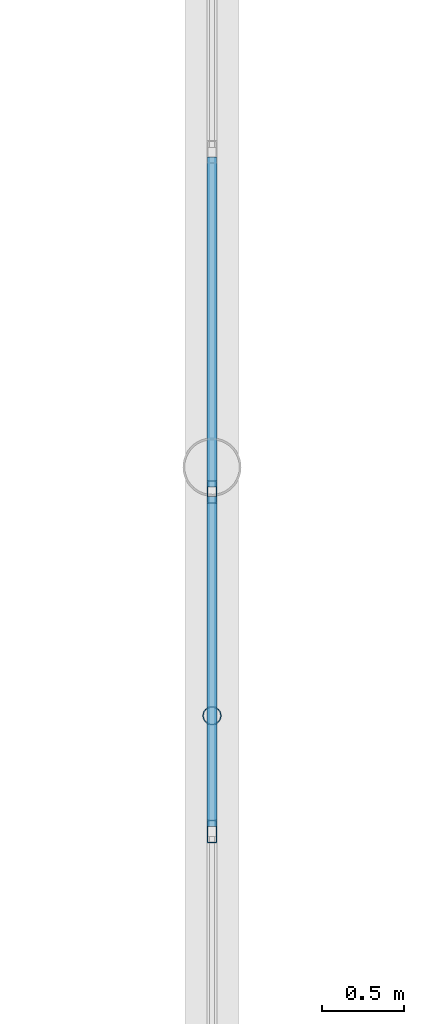
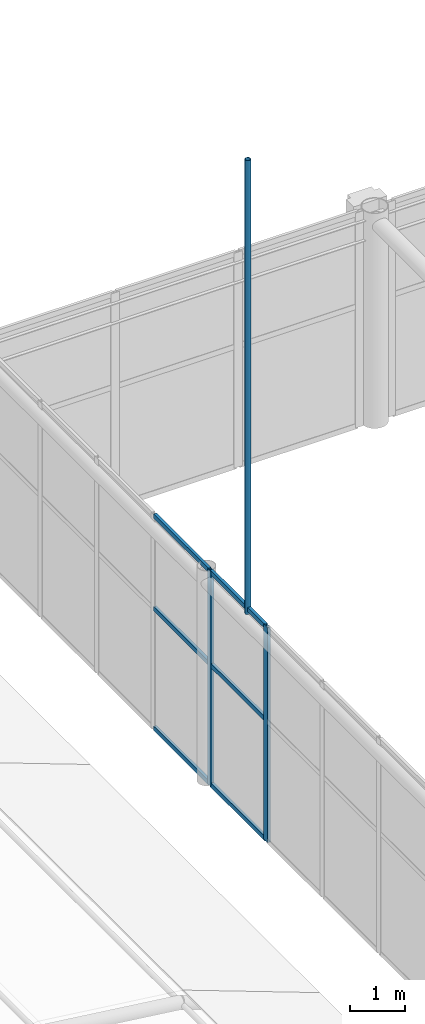
# One storey, part 72 of 167: 9 members, 1 element without a shape of its own.
"""IFC4 building model written with IfcOpenShell, lengths in metres."""

from ifc_helpers import new_model, si_unit, direction, frame, origin, origin_2d, place, context, subcontext, project, spatial, hollow_rectangle, hollow_circle, extrude, material, material_profile, profile_set, type_object, element, aggregate, save


model = new_model("IFC4")

# Units and contexts
model_context = context("Model", 3, precision=1e-05, world=origin(), true_north=direction((0.0, 1.0)))
body_context = subcontext(model_context, "Body", "Model", "MODEL_VIEW")
ifc_project = project(units=[si_unit("LENGTHUNIT", "METRE"), si_unit("AREAUNIT", "SQUARE_METRE"), si_unit("VOLUMEUNIT", "CUBIC_METRE"), si_unit("PLANEANGLEUNIT", "RADIAN"), si_unit("MASSUNIT", "GRAM", prefix="KILO")], contexts=[model_context])

# Site, building, storey
site_placement = place(None, origin())
site = spatial("IfcSite", under=ifc_project, at=site_placement, CompositionType="ELEMENT")
building_placement = place(site_placement, origin())
building = spatial("IfcBuilding", under=site, at=building_placement, Name="Catenary Quay Ferry Terminal", CompositionType="ELEMENT")
storey_placement = place(building_placement, frame((0.0, 0.0, 6.0)))
storey = spatial("IfcBuildingStorey", under=building, at=storey_placement, Name="L01", CompositionType="ELEMENT", Elevation=6.0)

# Member
ifc_material_1 = material(Name="Steel S355", Category="steel")
ifc_material_profile_1 = material_profile(ifc_material_1, hollow_circle(Radius=0.05712890625, WallThickness=0.00634765625, at=origin_2d()), Name="CHS 114.3x6.3")
ifc_profile_set_1 = profile_set([ifc_material_profile_1], Name="Steel S355")
member_type_1 = type_object("IfcMemberType", Name="HG1 CHS 114.3x6.3", PredefinedType="POST", material=ifc_profile_set_1)
member_1_placement = place(storey_placement, frame((25.199951171875, 132.889892578125, 4.654052734375), z_axis=(0.0, 0.0, 1.0), x_axis=(1.0, 0.0, 0.0)))
element("IfcMember", 1, at=member_1_placement, inside=storey, type_object=member_type_1, Name="Hanger VD-01-08", PredefinedType="POST", context=body_context, shape_type="SweptSolid", body=[
    extrude(hollow_circle(Radius=0.05712890625, WallThickness=0.00634765625, at=origin_2d()), origin(), (0.0, 0.0, 1.0), 10.137939453125),
])

# Curtain wall, members
ifc_material_2 = material(Name="Aluminium and glass", Category="aluminium")
curtain_wall_type = type_object("IfcCurtainWallType", Name="CWG", PredefinedType="NOTDEFINED", material=ifc_material_2)
curtain_wall_placement = place(storey_placement, origin())
curtain_wall = element("IfcCurtainWall", 2, at=curtain_wall_placement, inside=storey, type_object=curtain_wall_type, Name="Gable departure hall curtain wall CW16", PredefinedType="NOTDEFINED")
ifc_material_3 = material(Name="Aluminium", Category="aluminium")
ifc_material_profile_2 = material_profile(ifc_material_3, hollow_rectangle(XDim=0.06005859375, YDim=0.139892578125, WallThickness=0.006103515625, at=origin_2d()), Name="MU2")
ifc_profile_set_2 = profile_set([ifc_material_profile_2], Name="Aluminium")
member_type_2 = type_object("IfcMemberType", Name="MU2", PredefinedType="MULLION", material=ifc_profile_set_2)
member_2_placement = place(storey_placement, frame((25.199951171875, 132.1875, 0.0), z_axis=(0.0, 0.0, 1.0), x_axis=(-1.0, 0.0, 0.0)))
member_2 = element("IfcMember", 3, at=member_2_placement, type_object=member_type_2, Name="CW16 mullion 12", PredefinedType="MULLION", context=body_context, shape_type="SweptSolid", body=[
    extrude(hollow_rectangle(XDim=0.06005859375, YDim=0.139892578125, WallThickness=0.006103515625, at=origin_2d()), origin(), (0.0, 0.0, 1.0), 4.800048828125),
])
member_3_placement = place(storey_placement, frame((25.199951171875, 134.25, 0.0), z_axis=(0.0, 0.0, 1.0), x_axis=(-1.0, 0.0, 0.0)))
member_3 = element("IfcMember", 4, at=member_3_placement, type_object=member_type_2, Name="CW16 mullion 13", PredefinedType="MULLION", context=body_context, shape_type="SweptSolid", body=[
    extrude(hollow_rectangle(XDim=0.06005859375, YDim=0.139892578125, WallThickness=0.006103515625, at=origin_2d()), origin(), (0.0, 0.0, 1.0), 4.800048828125),
])
ifc_material_4 = material(Name="Aluminium", Category="aluminium")
ifc_material_profile_3 = material_profile(ifc_material_4, hollow_rectangle(XDim=0.06005859375, YDim=0.10009765625, WallThickness=0.0048828125, at=origin_2d()), Name="TR2")
ifc_profile_set_3 = profile_set([ifc_material_profile_3], Name="Aluminium")
member_type_3 = type_object("IfcMemberType", Name="TR2", PredefinedType="USERDEFINED", material=ifc_profile_set_3)
member_4_placement = place(storey_placement, frame((25.199951171875, 132.217529296875, 0.030029296875), z_axis=(0.0, 1.0, 0.0), x_axis=(-1.0, 0.0, 0.0)))
member_4 = element("IfcMember", 5, at=member_4_placement, type_object=member_type_3, Name="CW16 transom 12.1", ObjectType="TRANSOM", PredefinedType="USERDEFINED", context=body_context, shape_type="SweptSolid", body=[
    extrude(hollow_rectangle(XDim=0.06005859375, YDim=0.10009765625, WallThickness=0.0048828125, at=origin_2d()), origin(), (0.0, 0.0, 1.0), 2.00244140625),
])
member_5_placement = place(storey_placement, frame((25.199951171875, 132.217529296875, 2.699951171875), z_axis=(0.0, 1.0, 0.0), x_axis=(-1.0, 0.0, 0.0)))
member_5 = element("IfcMember", 6, at=member_5_placement, type_object=member_type_3, Name="CW16 transom 12.2", ObjectType="TRANSOM", PredefinedType="USERDEFINED", context=body_context, shape_type="SweptSolid", body=[
    extrude(hollow_rectangle(XDim=0.06005859375, YDim=0.10009765625, WallThickness=0.0048828125, at=origin_2d()), origin(), (0.0, 0.0, 1.0), 2.00244140625),
])
member_6_placement = place(storey_placement, frame((25.199951171875, 132.217529296875, 4.77001953125), z_axis=(0.0, 1.0, 0.0), x_axis=(-1.0, 0.0, 0.0)))
member_6 = element("IfcMember", 7, at=member_6_placement, type_object=member_type_3, Name="CW16 transom 12.3", ObjectType="TRANSOM", PredefinedType="USERDEFINED", context=body_context, shape_type="SweptSolid", body=[
    extrude(hollow_rectangle(XDim=0.06005859375, YDim=0.10009765625, WallThickness=0.0048828125, at=origin_2d()), origin(), (0.0, 0.0, 1.0), 2.00244140625),
])
member_7_placement = place(storey_placement, frame((25.199951171875, 134.280029296875, 0.030029296875), z_axis=(0.0, 1.0, 0.0), x_axis=(-1.0, 0.0, 0.0)))
member_7 = element("IfcMember", 8, at=member_7_placement, type_object=member_type_3, Name="CW16 transom 13.1", ObjectType="TRANSOM", PredefinedType="USERDEFINED", context=body_context, shape_type="SweptSolid", body=[
    extrude(hollow_rectangle(XDim=0.06005859375, YDim=0.10009765625, WallThickness=0.0048828125, at=origin_2d()), origin(), (0.0, 0.0, 1.0), 2.00244140625),
])
member_8_placement = place(storey_placement, frame((25.199951171875, 134.280029296875, 2.699951171875), z_axis=(0.0, 1.0, 0.0), x_axis=(-1.0, 0.0, 0.0)))
member_8 = element("IfcMember", 9, at=member_8_placement, type_object=member_type_3, Name="CW16 transom 13.2", ObjectType="TRANSOM", PredefinedType="USERDEFINED", context=body_context, shape_type="SweptSolid", body=[
    extrude(hollow_rectangle(XDim=0.06005859375, YDim=0.10009765625, WallThickness=0.0048828125, at=origin_2d()), origin(), (0.0, 0.0, 1.0), 2.00244140625),
])
member_9_placement = place(storey_placement, frame((25.199951171875, 134.280029296875, 4.77001953125), z_axis=(0.0, 1.0, 0.0), x_axis=(-1.0, 0.0, 0.0)))
member_9 = element("IfcMember", 10, at=member_9_placement, type_object=member_type_3, Name="CW16 transom 13.3", ObjectType="TRANSOM", PredefinedType="USERDEFINED", context=body_context, shape_type="SweptSolid", body=[
    extrude(hollow_rectangle(XDim=0.06005859375, YDim=0.10009765625, WallThickness=0.0048828125, at=origin_2d()), origin(), (0.0, 0.0, 1.0), 2.00244140625),
])
aggregate(curtain_wall, [member_2, member_3, member_4, member_5, member_6, member_7, member_8, member_9])

save(model, "model.ifc")
